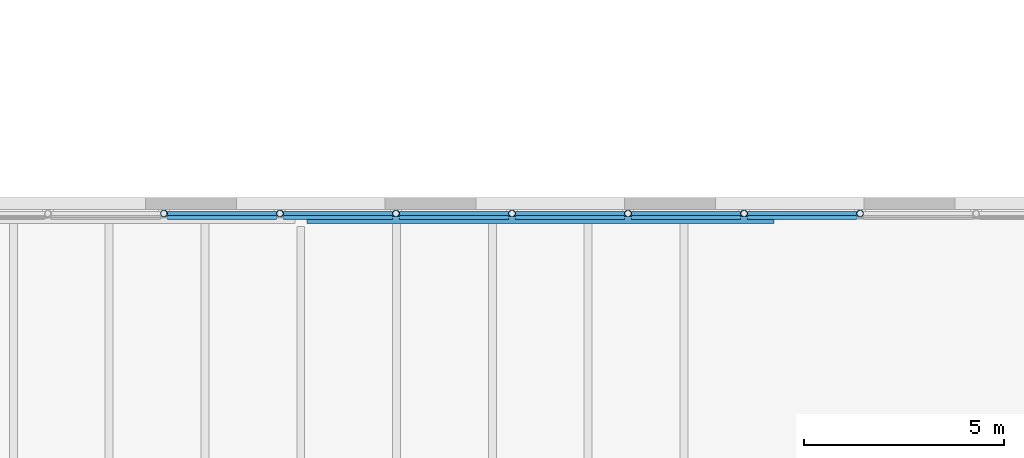
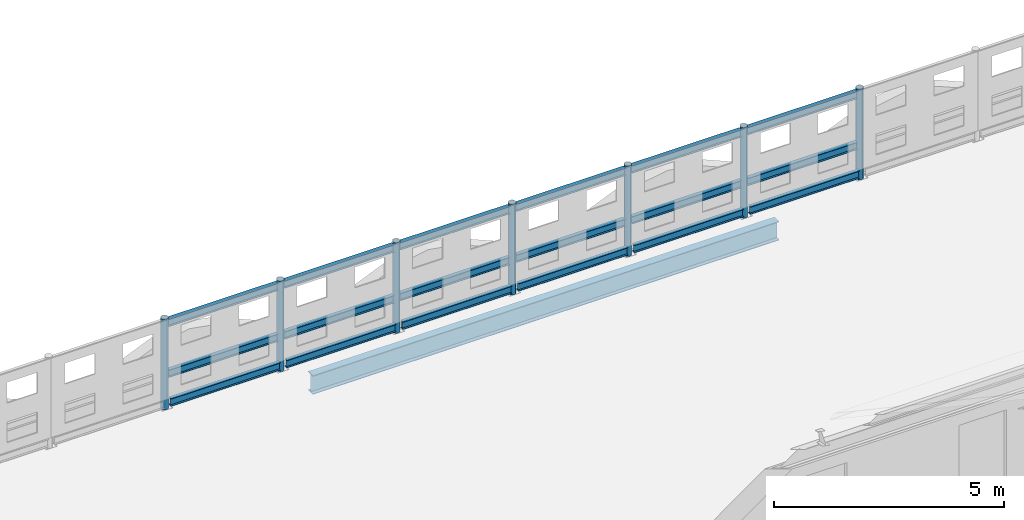
# One storey, part 32 of 91: 25 members, 1 beam.
"""IFC4 building model written with IfcOpenShell, lengths in metres."""

from ifc_helpers import new_model, si_unit, direction, frame, origin, origin_2d, place, context, subcontext, project, spatial, hollow_circle, i_section, extrude, material, material_profile, profile_set, type_object, element, save


model = new_model("IFC4")

# Units and contexts
model_context = context("Model", 3, precision=1e-05, world=origin(), true_north=direction((0.0, 1.0)))
body_context = subcontext(model_context, "Body", "Model", "MODEL_VIEW")
ifc_project = project(units=[si_unit("LENGTHUNIT", "METRE"), si_unit("AREAUNIT", "SQUARE_METRE"), si_unit("VOLUMEUNIT", "CUBIC_METRE"), si_unit("PLANEANGLEUNIT", "RADIAN"), si_unit("MASSUNIT", "GRAM", prefix="KILO")], contexts=[model_context])

# Site, building, storey
site_placement = place(None, origin())
site = spatial("IfcSite", under=ifc_project, at=site_placement, CompositionType="ELEMENT")
building_placement = place(site_placement, origin())
building = spatial("IfcBuilding", under=site, at=building_placement, Name="Ravi Spectrum Wholesale Market", CompositionType="ELEMENT")
storey_placement = place(building_placement, frame((0.0, 0.0, 16.199951171875)))
storey = spatial("IfcBuildingStorey", under=building, at=storey_placement, Name="ROOF PLANT LEVEL", CompositionType="ELEMENT", Elevation=16.199951171875)

# Members
ifc_material_1 = material(Name="Steel S355", Category="steel")
ifc_material_profile_1 = material_profile(ifc_material_1, hollow_circle(Radius=0.084228515625, WallThickness=0.00634765625, at=origin_2d()))
ifc_profile_set_1 = profile_set([ifc_material_profile_1], Name="Steel S355")
member_type_1 = type_object("IfcMemberType", Name="CHS 168.3x6.3 post", PredefinedType="POST", material=ifc_profile_set_1)
for number, where, z_axis, x_axis, name in (
    (1, (224.011962890625, 66.14990234375, 0.0), (0.0, 0.0, 1.0), (1.0, 0.0, 0.0), "CS-MB-ROOF-067"),
    (2, (221.105224609375, 66.14990234375, 0.0), (0.0, 0.0, 1.0), (1.0, 0.0, 0.0), "CS-MB-ROOF-068"),
    (3, (218.1982421875, 66.14990234375, 0.0), (0.0, 0.0, 1.0), (1.0, 0.0, 0.0), "CS-MB-ROOF-069"),
    (4, (215.291259765625, 66.14990234375, 0.0), (0.0, 0.0, 1.0), (1.0, 0.0, 0.0), "CS-MB-ROOF-070"),
    (5, (212.384521484375, 66.14990234375, 0.0), (0.0, 0.0, 1.0), (1.0, 0.0, 0.0), "CS-MB-ROOF-071"),
    (6, (209.4775390625, 66.14990234375, 0.0), (0.0, 0.0, 1.0), (1.0, 0.0, 0.0), "CS-MB-ROOF-072"),
    (7, (206.57080078125, 66.14990234375, 0.0), (0.0, 0.0, 1.0), (1.0, 0.0, 0.0), "CS-MB-ROOF-073"),
):
    element("IfcMember", number, at=place(storey_placement, frame(where, z_axis=z_axis, x_axis=x_axis)), inside=storey, type_object=member_type_1, Name=name, PredefinedType="POST", context=body_context, shape_type="SweptSolid", body=[
        extrude(hollow_circle(Radius=0.084228515625, WallThickness=0.00634765625, at=origin_2d()), origin(), (0.0, 0.0, 1.0), 2.400146484375),
    ])
ifc_material_2 = material(Name="Steel S355", Category="steel")
ifc_material_profile_2 = material_profile(ifc_material_2, i_section(OverallWidth=0.10009765625, OverallDepth=0.199951171875, WebThickness=0.005615234375, FlangeThickness=0.008544921875, at=origin_2d()))
ifc_profile_set_2 = profile_set([ifc_material_profile_2], Name="Steel S355")
member_type_2 = type_object("IfcMemberType", Name="IPE 200 purlin", PredefinedType="PURLIN", material=ifc_profile_set_2)
for number, where, z_axis, x_axis, name in (
    (8, (223.927978515625, 66.14990234375, 0.900146484375), (-1.0, 0.0, 0.0), (0.0, -1.0, 0.0), "CS-MB-ROOF-285"),
    (9, (223.927978515625, 66.14990234375, 2.25), (-1.0, 0.0, 0.0), (0.0, -1.0, 0.0), "CS-MB-ROOF-286"),
    (10, (223.927978515625, 66.05078125, 0.199951171875), (-1.0, 0.0, 0.0), (0.0, -1.0, 0.0), "CS-MB-ROOF-287"),
):
    element("IfcMember", number, at=place(storey_placement, frame(where, z_axis=z_axis, x_axis=x_axis)), inside=storey, type_object=member_type_2, Name=name, PredefinedType="PURLIN", context=body_context, shape_type="SweptSolid", body=[
        extrude(i_section(OverallWidth=0.10009765625, OverallDepth=0.199951171875, WebThickness=0.005615234375, FlangeThickness=0.008544921875, at=origin_2d()), origin(), (0.0, 0.0, 1.0), 2.73876953125),
    ])
for number, where, z_axis, x_axis, name in (
    (11, (221.02099609375, 66.14990234375, 0.900146484375), (-1.0, 0.0, 0.0), (0.0, -1.0, 0.0), "CS-MB-ROOF-288"),
    (12, (221.02099609375, 66.14990234375, 2.25), (-1.0, 0.0, 0.0), (0.0, -1.0, 0.0), "CS-MB-ROOF-289"),
    (13, (221.02099609375, 66.05078125, 0.199951171875), (-1.0, 0.0, 0.0), (0.0, -1.0, 0.0), "CS-MB-ROOF-290"),
    (14, (218.114013671875, 66.14990234375, 0.900146484375), (-1.0, 0.0, 0.0), (0.0, -1.0, 0.0), "CS-MB-ROOF-291"),
    (15, (218.114013671875, 66.14990234375, 2.25), (-1.0, 0.0, 0.0), (0.0, -1.0, 0.0), "CS-MB-ROOF-292"),
    (16, (218.114013671875, 66.05078125, 0.199951171875), (-1.0, 0.0, 0.0), (0.0, -1.0, 0.0), "CS-MB-ROOF-293"),
    (17, (215.207275390625, 66.14990234375, 0.900146484375), (-1.0, 0.0, 0.0), (0.0, -1.0, 0.0), "CS-MB-ROOF-294"),
    (18, (215.207275390625, 66.14990234375, 2.25), (-1.0, 0.0, 0.0), (0.0, -1.0, 0.0), "CS-MB-ROOF-295"),
    (19, (215.207275390625, 66.05078125, 0.199951171875), (-1.0, 0.0, 0.0), (0.0, -1.0, 0.0), "CS-MB-ROOF-296"),
    (20, (212.30029296875, 66.14990234375, 0.900146484375), (-1.0, 0.0, 0.0), (0.0, -1.0, 0.0), "CS-MB-ROOF-297"),
    (21, (212.30029296875, 66.14990234375, 2.25), (-1.0, 0.0, 0.0), (0.0, -1.0, 0.0), "CS-MB-ROOF-298"),
    (22, (212.30029296875, 66.05078125, 0.199951171875), (-1.0, 0.0, 0.0), (0.0, -1.0, 0.0), "CS-MB-ROOF-299"),
):
    element("IfcMember", number, at=place(storey_placement, frame(where, z_axis=z_axis, x_axis=x_axis)), inside=storey, type_object=member_type_2, Name=name, PredefinedType="PURLIN", context=body_context, shape_type="SweptSolid", body=[
        extrude(i_section(OverallWidth=0.10009765625, OverallDepth=0.199951171875, WebThickness=0.005615234375, FlangeThickness=0.008544921875, at=origin_2d()), origin(), (0.0, 0.0, 1.0), 2.738525390625),
    ])
for number, where, z_axis, x_axis, name in (
    (23, (209.3935546875, 66.14990234375, 0.900146484375), (-1.0, 0.0, 0.0), (0.0, -1.0, 0.0), "CS-MB-ROOF-300"),
    (24, (209.3935546875, 66.14990234375, 2.25), (-1.0, 0.0, 0.0), (0.0, -1.0, 0.0), "CS-MB-ROOF-301"),
    (25, (209.3935546875, 66.05078125, 0.199951171875), (-1.0, 0.0, 0.0), (0.0, -1.0, 0.0), "CS-MB-ROOF-302"),
):
    element("IfcMember", number, at=place(storey_placement, frame(where, z_axis=z_axis, x_axis=x_axis)), inside=storey, type_object=member_type_2, Name=name, PredefinedType="PURLIN", context=body_context, shape_type="SweptSolid", body=[
        extrude(i_section(OverallWidth=0.10009765625, OverallDepth=0.199951171875, WebThickness=0.005615234375, FlangeThickness=0.008544921875, at=origin_2d()), origin(), (0.0, 0.0, 1.0), 2.73876953125),
    ])

# Beam
ifc_material_3 = material(Name="Steel S355", Category="steel")
ifc_material_profile_3 = material_profile(ifc_material_3, i_section(OverallWidth=0.199951171875, OverallDepth=0.5, WebThickness=0.01025390625, FlangeThickness=0.01611328125, at=origin_2d()))
ifc_profile_set_3 = profile_set([ifc_material_profile_3], Name="Steel S355")
beam_type = type_object("IfcBeamType", Name="IPE 500 beam", PredefinedType="BEAM", material=ifc_profile_set_3)
beam_placement = place(storey_placement, frame((210.14990234375, 66.0, -0.5), z_axis=(1.0, 0.0, 0.0), x_axis=(0.0, 1.0, 0.0)))
element("IfcBeam", 26, at=beam_placement, inside=storey, type_object=beam_type, Name="CS-BM-ROOF-030", PredefinedType="BEAM", context=body_context, shape_type="SweptSolid", body=[
    extrude(i_section(OverallWidth=0.199951171875, OverallDepth=0.5, WebThickness=0.01025390625, FlangeThickness=0.01611328125, at=origin_2d()), origin(), (0.0, 0.0, 1.0), 11.7001953125),
])

save(model, "model.ifc")
